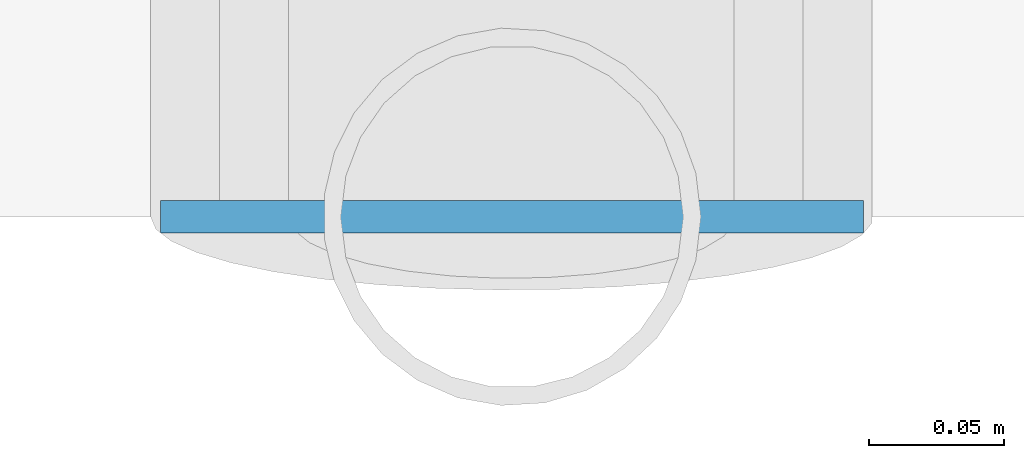
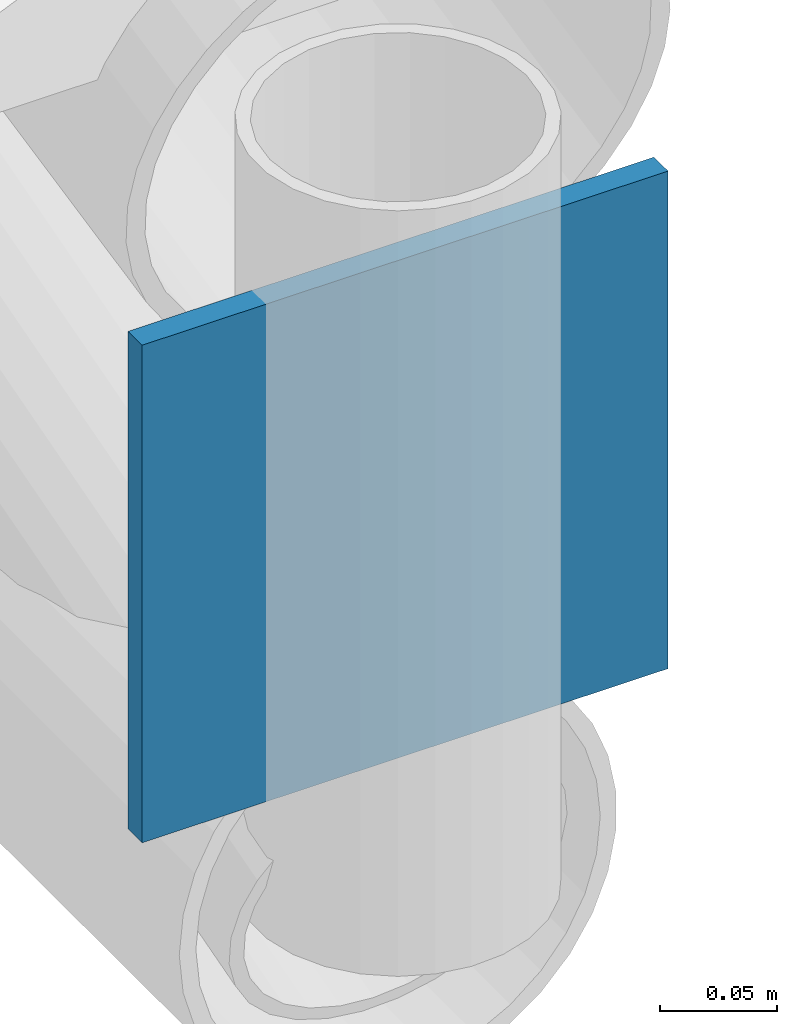
# One storey, part 177 of 194: 1 plate.
"""IFC4 building model written with IfcOpenShell, lengths in metres."""

from ifc_helpers import new_model, si_unit, direction, frame, origin, origin_2d, place, context, subcontext, project, spatial, rectangle, extrude, material, layer, layer_set, type_object, element, save


model = new_model("IFC4")

# Units and contexts
model_context = context("Model", 3, precision=1e-05, world=origin(), true_north=direction((0.0, 1.0)))
body_context = subcontext(model_context, "Body", "Model", "MODEL_VIEW")
ifc_project = project(units=[si_unit("LENGTHUNIT", "METRE"), si_unit("AREAUNIT", "SQUARE_METRE"), si_unit("VOLUMEUNIT", "CUBIC_METRE"), si_unit("PLANEANGLEUNIT", "RADIAN"), si_unit("MASSUNIT", "GRAM", prefix="KILO")], contexts=[model_context])

# Site, building, storey
site_placement = place(None, origin())
site = spatial("IfcSite", under=ifc_project, at=site_placement, CompositionType="ELEMENT")
building_placement = place(site_placement, origin())
building = spatial("IfcBuilding", under=site, at=building_placement, Name="Kazenagashi Tramway Depot", CompositionType="ELEMENT")
storey_placement = place(building_placement, frame((0.0, 0.0, 23.7)))
storey = spatial("IfcBuildingStorey", under=building, at=storey_placement, Name="ROOF", CompositionType="ELEMENT", Elevation=23.7)

# Plate
ifc_material = material(Name="Weathering Steel SMA490W", Category="steel")
ifc_layer = layer(ifc_material, 0.012)
ifc_layer_set = layer_set([ifc_layer], Name="Weathering Steel SMA490W")
plate_type = type_object("IfcPlateType", Name="EC-04", PredefinedType="USERDEFINED", material=ifc_layer_set)
plate_placement = place(storey_placement, frame((154.0, 70.0, -14.03), z_axis=(0.0, 0.0, 1.0), x_axis=(1.0, 0.0, 0.0)))
element("IfcPlate", 1, at=plate_placement, inside=storey, type_object=plate_type, Name="Structural Node Plate EC-04 PLT-0055", ObjectType="END CAP PLATE", PredefinedType="USERDEFINED", context=body_context, shape_type="SweptSolid", body=[
    extrude(rectangle(XDim=0.26, YDim=0.012, at=origin_2d()), origin(), (0.0, 0.0, 1.0), 0.26),
])

save(model, "model.ifc")
